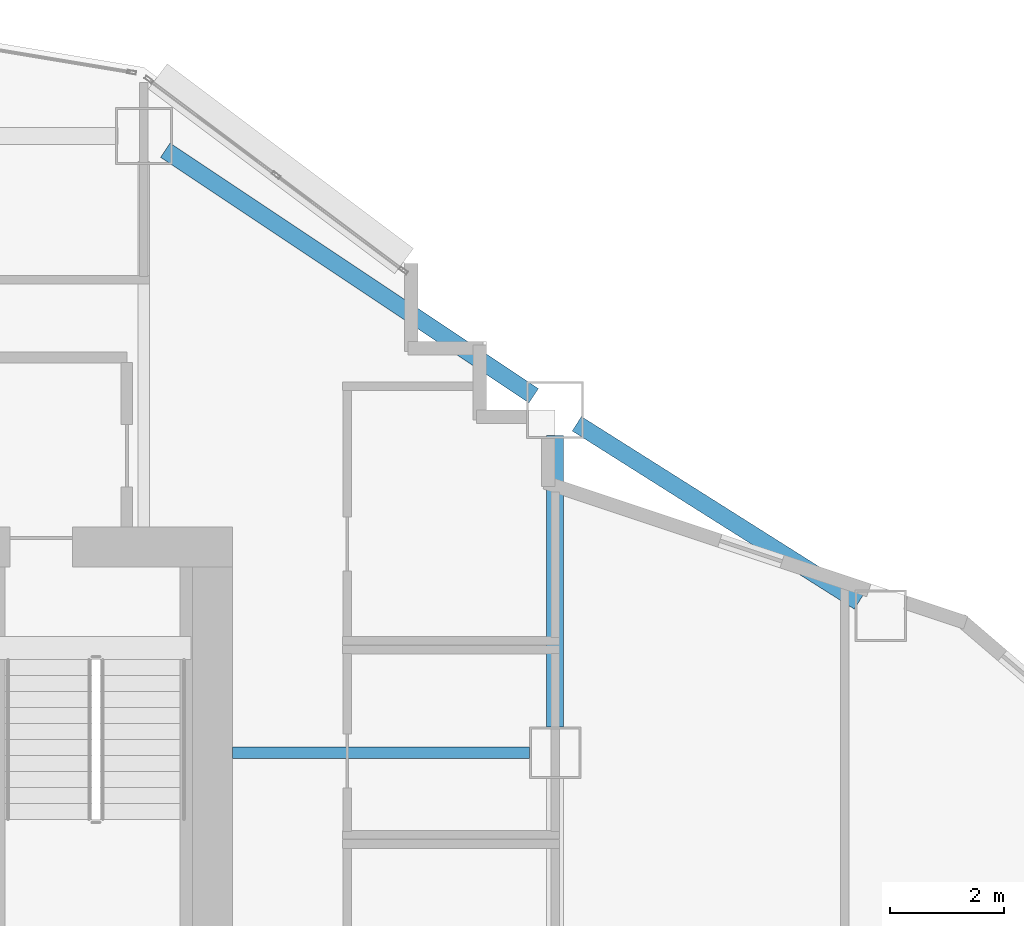
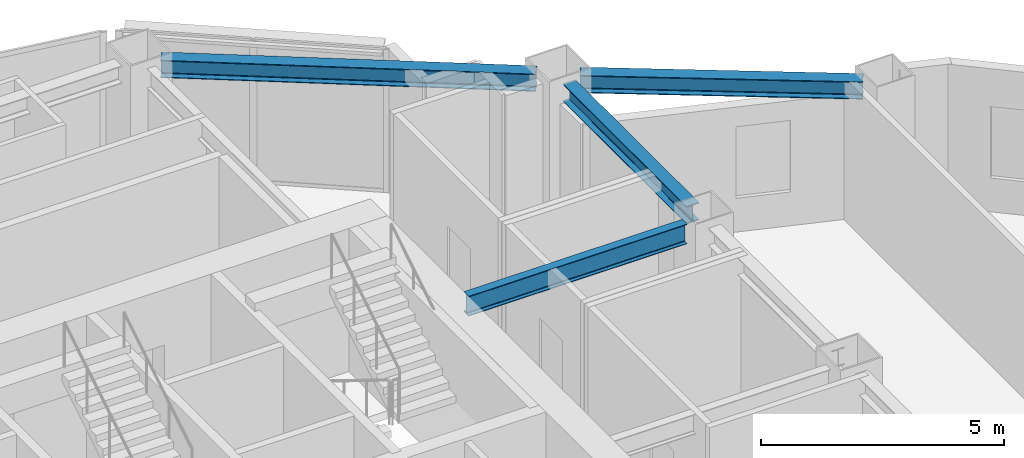
# One storey, part 4 of 14: 4 beams.
"""IFC4 building model written with IfcOpenShell, lengths in metres."""

from ifc_helpers import new_model, si_unit, direction, frame, origin, origin_2d, place, context, subcontext, project, spatial, i_section, extrude, material, material_profile, profile_set, type_object, element, save


model = new_model("IFC4")

# Units and contexts
model_context = context("Model", 3, precision=1e-05, world=origin(), true_north=direction((0.0, 1.0)))
body_context = subcontext(model_context, "Body", "Model", "MODEL_VIEW")
ifc_project = project(units=[si_unit("LENGTHUNIT", "METRE"), si_unit("AREAUNIT", "SQUARE_METRE"), si_unit("VOLUMEUNIT", "CUBIC_METRE"), si_unit("PLANEANGLEUNIT", "RADIAN"), si_unit("MASSUNIT", "GRAM", prefix="KILO")], contexts=[model_context])

# Site, building, storey
site_placement = place(None, origin())
site = spatial("IfcSite", under=ifc_project, at=site_placement, CompositionType="ELEMENT")
building_placement = place(site_placement, origin())
building = spatial("IfcBuilding", under=site, at=building_placement, Name="Haolan Belvedere Tower", CompositionType="ELEMENT")
storey_placement = place(building_placement, frame((0.0, 0.0, 148.60009765625)))
storey = spatial("IfcBuildingStorey", under=building, at=storey_placement, Name="L37", CompositionType="ELEMENT", Elevation=148.60009765625)

# Beams
ifc_material = material(Name="Steel Q355B", Category="steel")
ifc_material_profile_1 = material_profile(ifc_material, i_section(OverallWidth=0.300048828125, OverallDepth=0.43994140625, WebThickness=0.010986328125, FlangeThickness=0.01806640625, FilletRadius=0.02392578125, at=origin_2d()), Name="Steel Q355B")
ifc_profile_set_1 = profile_set([ifc_material_profile_1], Name="Steel Q355B")
beam_type_1 = type_object("IfcBeamType", Name="BM-HM440x300x11x18", PredefinedType="SPANDREL", material=ifc_profile_set_1)
beam_1_placement = place(storey_placement, frame((52.800048828125, 40.050048828125, 3.3798828125), z_axis=(0.0, 1.0, 0.0), x_axis=(-1.0, 0.0, 0.0)))
element("IfcBeam", 1, at=beam_1_placement, inside=storey, type_object=beam_type_1, Name="L37 spandrel girder TC-T3-E2-MC-T3-NE", PredefinedType="SPANDREL", context=body_context, shape_type="SweptSolid", body=[
    extrude(i_section(OverallWidth=0.300048828125, OverallDepth=0.43994140625, WebThickness=0.010986328125, FlangeThickness=0.01806640625, FilletRadius=0.02392578125, at=origin_2d()), origin(), (0.0, 0.0, 1.0), 5.099853515625),
])
beam_2_placement = place(storey_placement, frame((45.974365234375, 50.150390625, 3.3798828125), z_axis=(0.832050294338, -0.554700196225, 0.0), x_axis=(0.554700196225, 0.832050294338, 0.0)))
element("IfcBeam", 2, at=beam_2_placement, inside=storey, type_object=beam_type_1, Name="L37 spandrel girder MC-T3-N2-MC-T3-NE", PredefinedType="SPANDREL", context=body_context, shape_type="SweptSolid", body=[
    extrude(i_section(OverallWidth=0.300048828125, OverallDepth=0.43994140625, WebThickness=0.010986328125, FlangeThickness=0.01806640625, FilletRadius=0.02392578125, at=origin_2d()), origin(), (0.0, 0.0, 1.0), 7.75341796875),
])
beam_3_placement = place(storey_placement, frame((53.180419921875, 45.359619140625, 3.3798828125), z_axis=(0.845497840649, -0.533978839898, 0.0), x_axis=(0.533978839898, 0.845497840649, 0.0)))
element("IfcBeam", 3, at=beam_3_placement, inside=storey, type_object=beam_type_1, Name="L37 spandrel girder MC-T3-NE-TC-T4-N1", PredefinedType="SPANDREL", context=body_context, shape_type="SweptSolid", body=[
    extrude(i_section(OverallWidth=0.300048828125, OverallDepth=0.43994140625, WebThickness=0.010986328125, FlangeThickness=0.01806640625, FilletRadius=0.02392578125, at=origin_2d()), origin(), (0.0, 0.0, 1.0), 5.841796875),
])
ifc_material_profile_2 = material_profile(ifc_material, i_section(OverallWidth=0.199951171875, OverallDepth=0.5, WebThickness=0.010009765625, FlangeThickness=0.01611328125, FilletRadius=0.02001953125, at=origin_2d()), Name="Steel Q355B")
ifc_profile_set_2 = profile_set([ifc_material_profile_2], Name="Steel Q355B")
beam_type_2 = type_object("IfcBeamType", Name="BM-HN500x200x10x16", PredefinedType="BEAM", material=ifc_profile_set_2)
beam_4_placement = place(storey_placement, frame((52.35009765625, 39.60009765625, 3.349853515625), z_axis=(-1.0, 0.0, 0.0), x_axis=(0.0, -1.0, 0.0)))
element("IfcBeam", 4, at=beam_4_placement, inside=storey, type_object=beam_type_2, Name="L37 core tie beam from TC-T3-E2", PredefinedType="BEAM", context=body_context, shape_type="SweptSolid", body=[
    extrude(i_section(OverallWidth=0.199951171875, OverallDepth=0.5, WebThickness=0.010009765625, FlangeThickness=0.01611328125, FilletRadius=0.02001953125, at=origin_2d()), origin(), (0.0, 0.0, 1.0), 5.2001953125),
])

save(model, "model.ifc")
